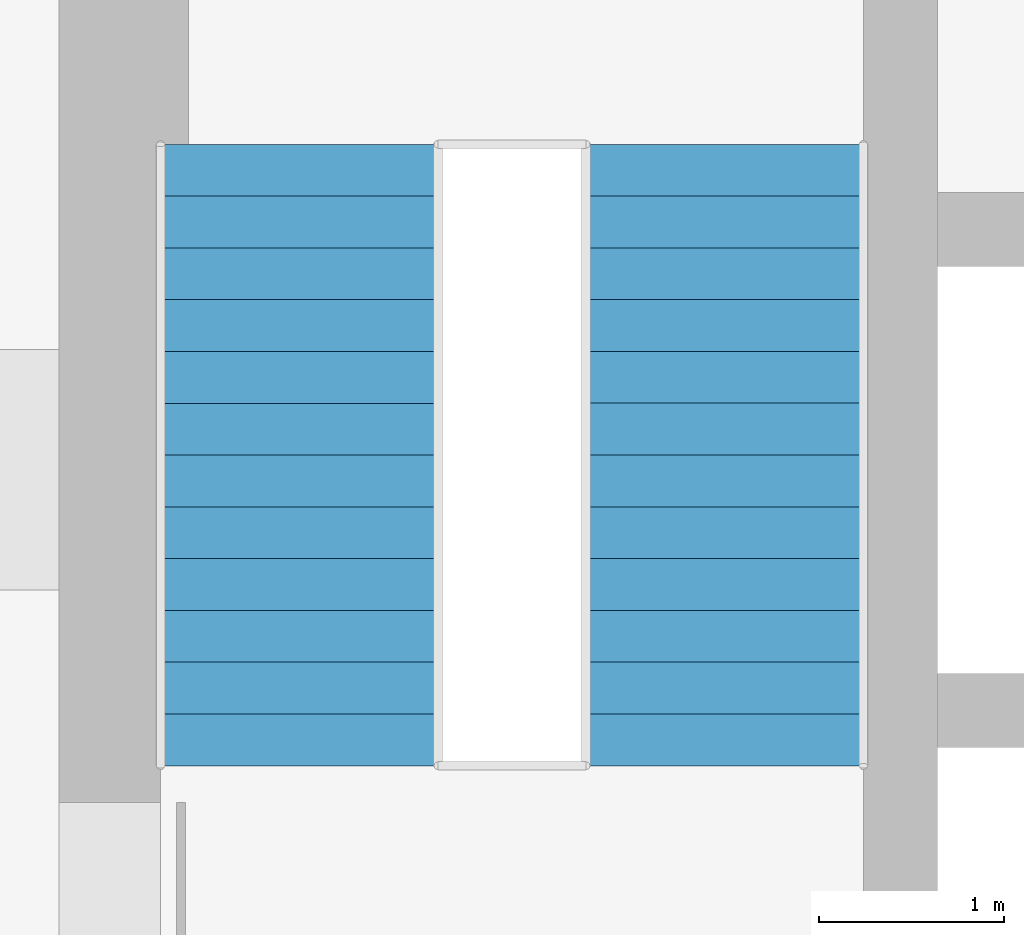
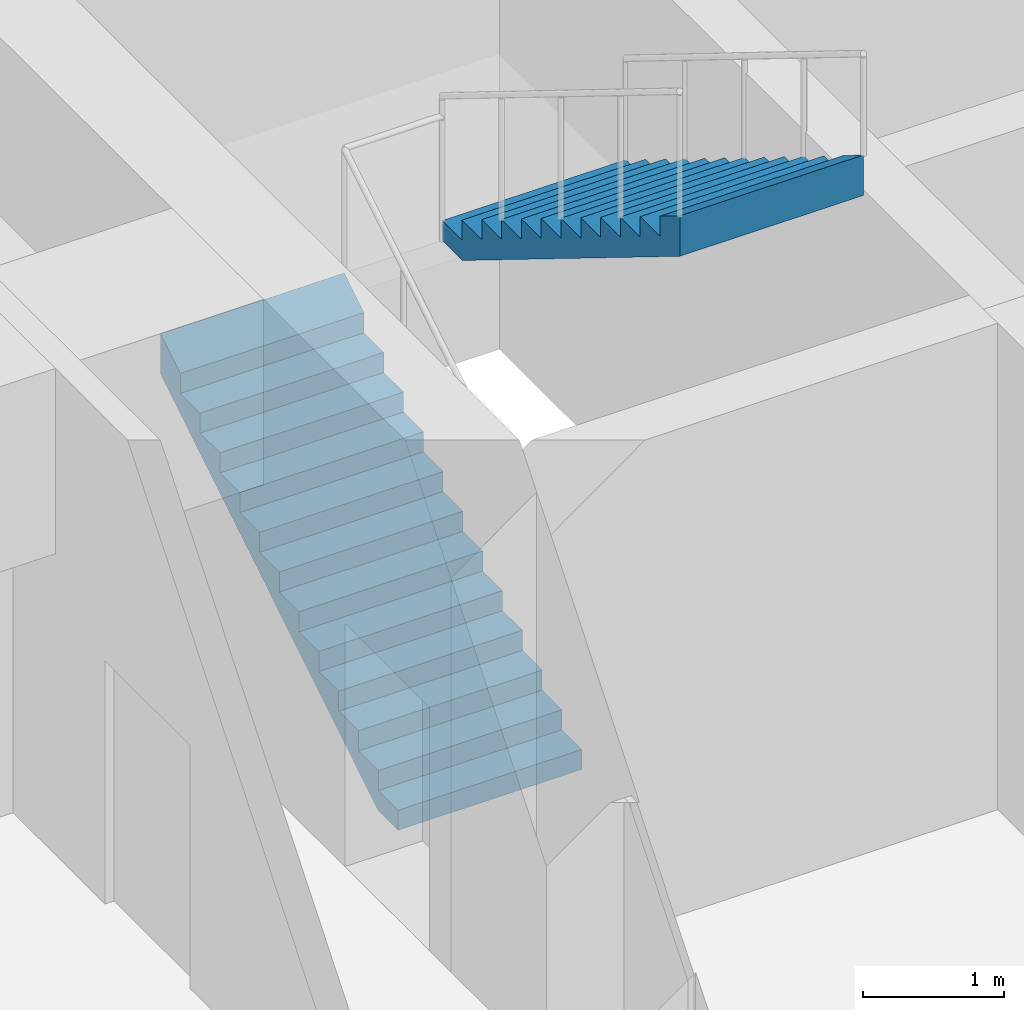
# One storey, part 7 of 9: 2 stair flights, 1 element without a shape of its own.
"""IFC4 building model written with IfcOpenShell, lengths in metres."""

from ifc_helpers import new_model, si_unit, direction, frame, origin, place, context, subcontext, project, spatial, triangles, material, type_object, element, aggregate, save


model = new_model("IFC4")

# Units and contexts
model_context = context("Model", 3, precision=1e-05, world=origin(), true_north=direction((0.0, 1.0)))
body_context = subcontext(model_context, "Body", "Model", "MODEL_VIEW")
ifc_project = project(units=[si_unit("LENGTHUNIT", "METRE"), si_unit("AREAUNIT", "SQUARE_METRE"), si_unit("VOLUMEUNIT", "CUBIC_METRE"), si_unit("PLANEANGLEUNIT", "RADIAN"), si_unit("MASSUNIT", "GRAM", prefix="KILO")], contexts=[model_context])

# Site, building, storey
site_placement = place(None, origin())
site = spatial("IfcSite", under=ifc_project, at=site_placement, CompositionType="ELEMENT")
building_placement = place(site_placement, origin())
building = spatial("IfcBuilding", under=site, at=building_placement, Name="Ludao Terraces", CompositionType="ELEMENT")
storey_placement = place(building_placement, frame((0.0, 0.0, 95.39990234375)))
storey = spatial("IfcBuildingStorey", under=building, at=storey_placement, Name="L26", CompositionType="ELEMENT", Elevation=95.39990234375)

# Stair, stair flights
ifc_material = material(Name="Concrete C40", Category="concrete")
stair_type = type_object("IfcStairType", Name="INT Stair", PredefinedType="HALF_TURN_STAIR", material=ifc_material)
stair_placement = place(storey_placement, origin())
stair = element("IfcStair", 1, at=stair_placement, inside=storey, type_object=stair_type, Name="EXIT STAIR 1", PredefinedType="HALF_TURN_STAIR")
stair_flight_type = type_object("IfcStairFlightType", Name="INT Stair flight", PredefinedType="STRAIGHT", material=ifc_material)
stair_flight_1_placement = place(storey_placement, frame((76.199951171875, 79.0, 0.0), z_axis=(0.0, 0.0, 1.0), x_axis=(0.0, 1.0, 0.0)))
stair_flight_1 = element("IfcStairFlight", 2, at=stair_flight_1_placement, type_object=stair_flight_type, Name="ST1 flight 1", NumberOfRisers=13, NumberOfTreads=12, PredefinedType="STRAIGHT", RiserHeight=0.173077, TreadLength=0.28, context=body_context, shape_type="Tessellation", body=[
    triangles([(0.0, -0.75, 0.0), (0.0, -0.5, 0.0), (0.0, -0.25, 0.0), (0.0, 0.0, 0.0), (0.0, 0.25, 0.0), (0.0, 0.5, 0.0), (0.0, 0.75, 0.0), (0.0, -0.75, 0.173095703125), (0.0, -0.5, 0.173095703125), (0.0, -0.25, 0.173095703125), (0.0, 0.0, 0.173095703125), (0.0, 0.25, 0.173095703125), (0.0, 0.5, 0.173095703125), (0.0, 0.75, 0.173095703125), (0.280029296875, -0.75, 0.173095703125), (0.280029296875, -0.5, 0.173095703125), (0.280029296875, -0.25, 0.173095703125), (0.280029296875, 0.0, 0.173095703125), (0.280029296875, 0.25, 0.173095703125), (0.280029296875, 0.5, 0.173095703125), (0.280029296875, 0.75, 0.173095703125), (0.280029296875, -0.75, 0.34619140625), (0.280029296875, -0.5, 0.34619140625), (0.280029296875, -0.25, 0.34619140625), (0.280029296875, 0.0, 0.34619140625), (0.280029296875, 0.25, 0.34619140625), (0.280029296875, 0.5, 0.34619140625), (0.280029296875, 0.75, 0.34619140625), (0.56005859375, -0.75, 0.34619140625), (0.56005859375, -0.5, 0.34619140625), (0.56005859375, -0.25, 0.34619140625), (0.56005859375, 0.0, 0.34619140625), (0.56005859375, 0.25, 0.34619140625), (0.56005859375, 0.5, 0.34619140625), (0.56005859375, 0.75, 0.34619140625), (0.56005859375, -0.75, 0.519287109375), (0.56005859375, -0.5, 0.519287109375), (0.56005859375, -0.25, 0.519287109375), (0.56005859375, 0.0, 0.519287109375), (0.56005859375, 0.25, 0.519287109375), (0.56005859375, 0.5, 0.519287109375), (0.56005859375, 0.75, 0.519287109375), (0.840087890625, -0.75, 0.519287109375), (0.840087890625, -0.5, 0.519287109375), (0.840087890625, -0.25, 0.519287109375), (0.840087890625, 0.0, 0.519287109375), (0.840087890625, 0.25, 0.519287109375), (0.840087890625, 0.5, 0.519287109375), (0.840087890625, 0.75, 0.519287109375), (0.840087890625, -0.75, 0.6923828125), (0.840087890625, -0.5, 0.6923828125), (0.840087890625, -0.25, 0.6923828125), (0.840087890625, 0.0, 0.6923828125), (0.840087890625, 0.25, 0.6923828125), (0.840087890625, 0.5, 0.6923828125), (0.840087890625, 0.75, 0.6923828125), (1.1201171875, -0.75, 0.6923828125), (1.1201171875, -0.5, 0.6923828125), (1.1201171875, -0.25, 0.6923828125), (1.1201171875, 0.0, 0.6923828125), (1.1201171875, 0.25, 0.6923828125), (1.1201171875, 0.5, 0.6923828125), (1.1201171875, 0.75, 0.6923828125), (1.1201171875, -0.75, 0.865478515625), (1.1201171875, -0.5, 0.865478515625), (1.1201171875, -0.25, 0.865478515625), (1.1201171875, 0.0, 0.865478515625), (1.1201171875, 0.25, 0.865478515625), (1.1201171875, 0.5, 0.865478515625), (1.1201171875, 0.75, 0.865478515625), (1.39990234375, -0.75, 0.865478515625), (1.39990234375, -0.5, 0.865478515625), (1.39990234375, -0.25, 0.865478515625), (1.39990234375, 0.0, 0.865478515625), (1.39990234375, 0.25, 0.865478515625), (1.39990234375, 0.5, 0.865478515625), (1.39990234375, 0.75, 0.865478515625), (1.39990234375, -0.75, 1.03857421875), (1.39990234375, -0.5, 1.03857421875), (1.39990234375, -0.25, 1.03857421875), (1.39990234375, 0.0, 1.03857421875), (1.39990234375, 0.25, 1.03857421875), (1.39990234375, 0.5, 1.03857421875), (1.39990234375, 0.75, 1.03857421875), (1.679931640625, -0.75, 1.03857421875), (1.679931640625, -0.5, 1.03857421875), (1.679931640625, -0.25, 1.03857421875), (1.679931640625, 0.0, 1.03857421875), (1.679931640625, 0.25, 1.03857421875), (1.679931640625, 0.5, 1.03857421875), (1.679931640625, 0.75, 1.03857421875), (1.679931640625, -0.75, 1.21142578125), (1.679931640625, -0.5, 1.21142578125), (1.679931640625, -0.25, 1.21142578125), (1.679931640625, 0.0, 1.21142578125), (1.679931640625, 0.25, 1.21142578125), (1.679931640625, 0.5, 1.21142578125), (1.679931640625, 0.75, 1.21142578125), (1.9599609375, -0.75, 1.21142578125), (1.9599609375, -0.5, 1.21142578125), (1.9599609375, -0.25, 1.21142578125), (1.9599609375, 0.0, 1.21142578125), (1.9599609375, 0.25, 1.21142578125), (1.9599609375, 0.5, 1.21142578125), (1.9599609375, 0.75, 1.21142578125), (1.9599609375, -0.75, 1.384521484375), (1.9599609375, -0.5, 1.384521484375), (1.9599609375, -0.25, 1.384521484375), (1.9599609375, 0.0, 1.384521484375), (1.9599609375, 0.25, 1.384521484375), (1.9599609375, 0.5, 1.384521484375), (1.9599609375, 0.75, 1.384521484375), (2.239990234375, -0.75, 1.384521484375), (2.239990234375, -0.5, 1.384521484375), (2.239990234375, -0.25, 1.384521484375), (2.239990234375, 0.0, 1.384521484375), (2.239990234375, 0.25, 1.384521484375), (2.239990234375, 0.5, 1.384521484375), (2.239990234375, 0.75, 1.384521484375), (2.239990234375, -0.75, 1.5576171875), (2.239990234375, -0.5, 1.5576171875), (2.239990234375, -0.25, 1.5576171875), (2.239990234375, 0.0, 1.5576171875), (2.239990234375, 0.25, 1.5576171875), (2.239990234375, 0.5, 1.5576171875), (2.239990234375, 0.75, 1.5576171875), (2.52001953125, -0.75, 1.5576171875), (2.52001953125, -0.5, 1.5576171875), (2.52001953125, -0.25, 1.5576171875), (2.52001953125, 0.0, 1.5576171875), (2.52001953125, 0.25, 1.5576171875), (2.52001953125, 0.5, 1.5576171875), (2.52001953125, 0.75, 1.5576171875), (2.52001953125, -0.75, 1.730712890625), (2.52001953125, -0.5, 1.730712890625), (2.52001953125, -0.25, 1.730712890625), (2.52001953125, 0.0, 1.730712890625), (2.52001953125, 0.25, 1.730712890625), (2.52001953125, 0.5, 1.730712890625), (2.52001953125, 0.75, 1.730712890625), (2.800048828125, -0.75, 1.730712890625), (2.800048828125, -0.5, 1.730712890625), (2.800048828125, -0.25, 1.730712890625), (2.800048828125, 0.0, 1.730712890625), (2.800048828125, 0.25, 1.730712890625), (2.800048828125, 0.5, 1.730712890625), (2.800048828125, 0.75, 1.730712890625), (2.800048828125, -0.75, 1.90380859375), (2.800048828125, -0.5, 1.90380859375), (2.800048828125, -0.25, 1.90380859375), (2.800048828125, 0.0, 1.90380859375), (2.800048828125, 0.25, 1.90380859375), (2.800048828125, 0.5, 1.90380859375), (2.800048828125, 0.75, 1.90380859375), (3.080078125, -0.75, 1.90380859375), (3.080078125, -0.5, 1.90380859375), (3.080078125, -0.25, 1.90380859375), (3.080078125, 0.0, 1.90380859375), (3.080078125, 0.25, 1.90380859375), (3.080078125, 0.5, 1.90380859375), (3.080078125, 0.75, 1.90380859375), (3.080078125, -0.75, 2.076904296875), (3.080078125, -0.5, 2.076904296875), (3.080078125, -0.25, 2.076904296875), (3.080078125, 0.0, 2.076904296875), (3.080078125, 0.25, 2.076904296875), (3.080078125, 0.5, 2.076904296875), (3.080078125, 0.75, 2.076904296875), (3.360107421875, -0.75, 2.25), (3.360107421875, -0.5, 2.25), (3.360107421875, -0.25, 2.25), (3.360107421875, 0.0, 2.25), (3.360107421875, 0.25, 2.25), (3.360107421875, 0.5, 2.25), (3.360107421875, 0.75, 2.25), (3.360107421875, -0.75, 1.900634765625), (3.360107421875, -0.5, 1.900634765625), (3.360107421875, -0.25, 1.900634765625), (3.360107421875, 0.0, 1.900634765625), (3.360107421875, 0.25, 1.900634765625), (3.360107421875, 0.5, 1.900634765625), (3.360107421875, 0.75, 1.900634765625), (0.28515625, -0.75, 0.0), (0.28515625, -0.5, 0.0), (0.28515625, -0.25, 0.0), (0.28515625, 0.0, 0.0), (0.28515625, 0.25, 0.0), (0.28515625, 0.5, 0.0), (0.28515625, 0.75, 0.0)], [[1, 183, 176], [7, 182, 189], [176, 169, 162], [182, 168, 175], [176, 162, 155], [182, 161, 168], [176, 155, 148], [182, 154, 161], [176, 148, 141], [182, 147, 154], [141, 134, 127], [147, 133, 140], [176, 141, 127], [182, 133, 147], [127, 120, 113], [133, 119, 126], [176, 127, 113], [182, 119, 133], [113, 106, 99], [119, 105, 112], [176, 113, 99], [182, 105, 119], [1, 176, 99], [7, 105, 182], [99, 92, 85], [105, 91, 98], [85, 78, 71], [91, 77, 84], [99, 85, 71], [105, 77, 91], [71, 64, 57], [77, 63, 70], [99, 71, 57], [105, 63, 77], [57, 50, 43], [63, 49, 56], [99, 57, 43], [105, 49, 63], [43, 36, 29], [49, 35, 42], [99, 43, 29], [105, 35, 49], [29, 22, 15], [35, 21, 28], [99, 29, 15], [105, 21, 35], [1, 99, 15], [7, 21, 105], [15, 8, 1], [21, 7, 14], [1, 9, 2], [1, 8, 9], [2, 10, 3], [2, 9, 10], [3, 11, 4], [3, 10, 11], [4, 12, 5], [4, 11, 12], [5, 13, 6], [5, 12, 13], [6, 14, 7], [6, 13, 14], [8, 16, 9], [8, 15, 16], [9, 17, 10], [9, 16, 17], [10, 18, 11], [10, 17, 18], [11, 19, 12], [11, 18, 19], [12, 20, 13], [12, 19, 20], [13, 21, 14], [13, 20, 21], [15, 23, 16], [15, 22, 23], [16, 24, 17], [16, 23, 24], [17, 25, 18], [17, 24, 25], [18, 26, 19], [18, 25, 26], [19, 27, 20], [19, 26, 27], [20, 28, 21], [20, 27, 28], [22, 30, 23], [22, 29, 30], [23, 31, 24], [23, 30, 31], [24, 32, 25], [24, 31, 32], [25, 33, 26], [25, 32, 33], [26, 34, 27], [26, 33, 34], [27, 35, 28], [27, 34, 35], [29, 37, 30], [29, 36, 37], [30, 38, 31], [30, 37, 38], [31, 39, 32], [31, 38, 39], [32, 40, 33], [32, 39, 40], [33, 41, 34], [33, 40, 41], [34, 42, 35], [34, 41, 42], [36, 44, 37], [36, 43, 44], [37, 45, 38], [37, 44, 45], [38, 46, 39], [38, 45, 46], [39, 47, 40], [39, 46, 47], [40, 48, 41], [40, 47, 48], [41, 49, 42], [41, 48, 49], [43, 51, 44], [43, 50, 51], [44, 52, 45], [44, 51, 52], [45, 53, 46], [45, 52, 53], [46, 54, 47], [46, 53, 54], [47, 55, 48], [47, 54, 55], [48, 56, 49], [48, 55, 56], [50, 58, 51], [50, 57, 58], [51, 59, 52], [51, 58, 59], [52, 60, 53], [52, 59, 60], [53, 61, 54], [53, 60, 61], [54, 62, 55], [54, 61, 62], [55, 63, 56], [55, 62, 63], [57, 65, 58], [57, 64, 65], [58, 66, 59], [58, 65, 66], [59, 67, 60], [59, 66, 67], [60, 68, 61], [60, 67, 68], [61, 69, 62], [61, 68, 69], [62, 70, 63], [62, 69, 70], [64, 72, 65], [64, 71, 72], [65, 73, 66], [65, 72, 73], [66, 74, 67], [66, 73, 74], [67, 75, 68], [67, 74, 75], [68, 76, 69], [68, 75, 76], [69, 77, 70], [69, 76, 77], [71, 79, 72], [71, 78, 79], [72, 80, 73], [72, 79, 80], [73, 81, 74], [73, 80, 81], [74, 82, 75], [74, 81, 82], [75, 83, 76], [75, 82, 83], [76, 84, 77], [76, 83, 84], [78, 86, 79], [78, 85, 86], [79, 87, 80], [79, 86, 87], [80, 88, 81], [80, 87, 88], [81, 89, 82], [81, 88, 89], [82, 90, 83], [82, 89, 90], [83, 91, 84], [83, 90, 91], [85, 93, 86], [85, 92, 93], [86, 94, 87], [86, 93, 94], [87, 95, 88], [87, 94, 95], [88, 96, 89], [88, 95, 96], [89, 97, 90], [89, 96, 97], [90, 98, 91], [90, 97, 98], [92, 100, 93], [92, 99, 100], [93, 101, 94], [93, 100, 101], [94, 102, 95], [94, 101, 102], [95, 103, 96], [95, 102, 103], [96, 104, 97], [96, 103, 104], [97, 105, 98], [97, 104, 105], [99, 107, 100], [99, 106, 107], [100, 108, 101], [100, 107, 108], [101, 109, 102], [101, 108, 109], [102, 110, 103], [102, 109, 110], [103, 111, 104], [103, 110, 111], [104, 112, 105], [104, 111, 112], [106, 114, 107], [106, 113, 114], [107, 115, 108], [107, 114, 115], [108, 116, 109], [108, 115, 116], [109, 117, 110], [109, 116, 117], [110, 118, 111], [110, 117, 118], [111, 119, 112], [111, 118, 119], [113, 121, 114], [113, 120, 121], [114, 122, 115], [114, 121, 122], [115, 123, 116], [115, 122, 123], [116, 124, 117], [116, 123, 124], [117, 125, 118], [117, 124, 125], [118, 126, 119], [118, 125, 126], [120, 128, 121], [120, 127, 128], [121, 129, 122], [121, 128, 129], [122, 130, 123], [122, 129, 130], [123, 131, 124], [123, 130, 131], [124, 132, 125], [124, 131, 132], [125, 133, 126], [125, 132, 133], [127, 135, 128], [127, 134, 135], [128, 136, 129], [128, 135, 136], [129, 137, 130], [129, 136, 137], [130, 138, 131], [130, 137, 138], [131, 139, 132], [131, 138, 139], [132, 140, 133], [132, 139, 140], [134, 142, 135], [134, 141, 142], [135, 143, 136], [135, 142, 143], [136, 144, 137], [136, 143, 144], [137, 145, 138], [137, 144, 145], [138, 146, 139], [138, 145, 146], [139, 147, 140], [139, 146, 147], [141, 149, 142], [141, 148, 149], [142, 150, 143], [142, 149, 150], [143, 151, 144], [143, 150, 151], [144, 152, 145], [144, 151, 152], [145, 153, 146], [145, 152, 153], [146, 154, 147], [146, 153, 154], [148, 156, 149], [148, 155, 156], [149, 157, 150], [149, 156, 157], [150, 158, 151], [150, 157, 158], [151, 159, 152], [151, 158, 159], [152, 160, 153], [152, 159, 160], [153, 161, 154], [153, 160, 161], [155, 163, 156], [155, 162, 163], [156, 164, 157], [156, 163, 164], [157, 165, 158], [157, 164, 165], [158, 166, 159], [158, 165, 166], [159, 167, 160], [159, 166, 167], [160, 168, 161], [160, 167, 168], [162, 170, 163], [162, 169, 170], [163, 171, 164], [163, 170, 171], [164, 172, 165], [164, 171, 172], [165, 173, 166], [165, 172, 173], [166, 174, 167], [166, 173, 174], [167, 175, 168], [167, 174, 175], [169, 177, 170], [169, 176, 177], [170, 178, 171], [170, 177, 178], [171, 179, 172], [171, 178, 179], [172, 180, 173], [172, 179, 180], [173, 181, 174], [173, 180, 181], [174, 182, 175], [174, 181, 182], [176, 184, 177], [176, 183, 184], [177, 185, 178], [177, 184, 185], [178, 186, 179], [178, 185, 186], [179, 187, 180], [179, 186, 187], [180, 188, 181], [180, 187, 188], [181, 189, 182], [181, 188, 189], [183, 2, 184], [183, 1, 2], [184, 3, 185], [184, 2, 3], [185, 4, 186], [185, 3, 4], [186, 5, 187], [186, 4, 5], [187, 6, 188], [187, 5, 6], [188, 7, 189], [188, 6, 7]], closed=True),
])
stair_flight_2_placement = place(storey_placement, frame((78.5, 82.360107421875, 2.25), z_axis=(0.0, 0.0, 1.0), x_axis=(0.0, -1.0, 0.0)))
stair_flight_2 = element("IfcStairFlight", 3, at=stair_flight_2_placement, type_object=stair_flight_type, Name="ST1 flight 2", NumberOfRisers=13, NumberOfTreads=12, PredefinedType="STRAIGHT", RiserHeight=0.173077, TreadLength=0.28, context=body_context, shape_type="Tessellation", body=[
    triangles([(0.0, -0.75, 0.0), (0.0, -0.5, 0.0), (0.0, -0.25, 0.0), (0.0, 0.0, 0.0), (0.0, 0.25, 0.0), (0.0, 0.5, 0.0), (0.0, 0.75, 0.0), (0.0, -0.75, 0.173095703125), (0.0, -0.5, 0.173095703125), (0.0, -0.25, 0.173095703125), (0.0, 0.0, 0.173095703125), (0.0, 0.25, 0.173095703125), (0.0, 0.5, 0.173095703125), (0.0, 0.75, 0.173095703125), (0.280029296875, -0.75, 0.173095703125), (0.280029296875, -0.5, 0.173095703125), (0.280029296875, -0.25, 0.173095703125), (0.280029296875, 0.0, 0.173095703125), (0.280029296875, 0.25, 0.173095703125), (0.280029296875, 0.5, 0.173095703125), (0.280029296875, 0.75, 0.173095703125), (0.280029296875, -0.75, 0.34619140625), (0.280029296875, -0.5, 0.34619140625), (0.280029296875, -0.25, 0.34619140625), (0.280029296875, 0.0, 0.34619140625), (0.280029296875, 0.25, 0.34619140625), (0.280029296875, 0.5, 0.34619140625), (0.280029296875, 0.75, 0.34619140625), (0.56005859375, -0.75, 0.34619140625), (0.56005859375, -0.5, 0.34619140625), (0.56005859375, -0.25, 0.34619140625), (0.56005859375, 0.0, 0.34619140625), (0.56005859375, 0.25, 0.34619140625), (0.56005859375, 0.5, 0.34619140625), (0.56005859375, 0.75, 0.34619140625), (0.56005859375, -0.75, 0.519287109375), (0.56005859375, -0.5, 0.519287109375), (0.56005859375, -0.25, 0.519287109375), (0.56005859375, 0.0, 0.519287109375), (0.56005859375, 0.25, 0.519287109375), (0.56005859375, 0.5, 0.519287109375), (0.56005859375, 0.75, 0.519287109375), (0.840087890625, -0.75, 0.519287109375), (0.840087890625, -0.5, 0.519287109375), (0.840087890625, -0.25, 0.519287109375), (0.840087890625, 0.0, 0.519287109375), (0.840087890625, 0.25, 0.519287109375), (0.840087890625, 0.5, 0.519287109375), (0.840087890625, 0.75, 0.519287109375), (0.840087890625, -0.75, 0.6923828125), (0.840087890625, -0.5, 0.6923828125), (0.840087890625, -0.25, 0.6923828125), (0.840087890625, 0.0, 0.6923828125), (0.840087890625, 0.25, 0.6923828125), (0.840087890625, 0.5, 0.6923828125), (0.840087890625, 0.75, 0.6923828125), (1.1201171875, -0.75, 0.6923828125), (1.1201171875, -0.5, 0.6923828125), (1.1201171875, -0.25, 0.6923828125), (1.1201171875, 0.0, 0.6923828125), (1.1201171875, 0.25, 0.6923828125), (1.1201171875, 0.5, 0.6923828125), (1.1201171875, 0.75, 0.6923828125), (1.1201171875, -0.75, 0.865478515625), (1.1201171875, -0.5, 0.865478515625), (1.1201171875, -0.25, 0.865478515625), (1.1201171875, 0.0, 0.865478515625), (1.1201171875, 0.25, 0.865478515625), (1.1201171875, 0.5, 0.865478515625), (1.1201171875, 0.75, 0.865478515625), (1.39990234375, -0.75, 0.865478515625), (1.39990234375, -0.5, 0.865478515625), (1.39990234375, -0.25, 0.865478515625), (1.39990234375, 0.0, 0.865478515625), (1.39990234375, 0.25, 0.865478515625), (1.39990234375, 0.5, 0.865478515625), (1.39990234375, 0.75, 0.865478515625), (1.39990234375, -0.75, 1.03857421875), (1.39990234375, -0.5, 1.03857421875), (1.39990234375, -0.25, 1.03857421875), (1.39990234375, 0.0, 1.03857421875), (1.39990234375, 0.25, 1.03857421875), (1.39990234375, 0.5, 1.03857421875), (1.39990234375, 0.75, 1.03857421875), (1.679931640625, -0.75, 1.03857421875), (1.679931640625, -0.5, 1.03857421875), (1.679931640625, -0.25, 1.03857421875), (1.679931640625, 0.0, 1.03857421875), (1.679931640625, 0.25, 1.03857421875), (1.679931640625, 0.5, 1.03857421875), (1.679931640625, 0.75, 1.03857421875), (1.679931640625, -0.75, 1.21142578125), (1.679931640625, -0.5, 1.21142578125), (1.679931640625, -0.25, 1.21142578125), (1.679931640625, 0.0, 1.21142578125), (1.679931640625, 0.25, 1.21142578125), (1.679931640625, 0.5, 1.21142578125), (1.679931640625, 0.75, 1.21142578125), (1.9599609375, -0.75, 1.21142578125), (1.9599609375, -0.5, 1.21142578125), (1.9599609375, -0.25, 1.21142578125), (1.9599609375, 0.0, 1.21142578125), (1.9599609375, 0.25, 1.21142578125), (1.9599609375, 0.5, 1.21142578125), (1.9599609375, 0.75, 1.21142578125), (1.9599609375, -0.75, 1.384521484375), (1.9599609375, -0.5, 1.384521484375), (1.9599609375, -0.25, 1.384521484375), (1.9599609375, 0.0, 1.384521484375), (1.9599609375, 0.25, 1.384521484375), (1.9599609375, 0.5, 1.384521484375), (1.9599609375, 0.75, 1.384521484375), (2.239990234375, -0.75, 1.384521484375), (2.239990234375, -0.5, 1.384521484375), (2.239990234375, -0.25, 1.384521484375), (2.239990234375, 0.0, 1.384521484375), (2.239990234375, 0.25, 1.384521484375), (2.239990234375, 0.5, 1.384521484375), (2.239990234375, 0.75, 1.384521484375), (2.239990234375, -0.75, 1.5576171875), (2.239990234375, -0.5, 1.5576171875), (2.239990234375, -0.25, 1.5576171875), (2.239990234375, 0.0, 1.5576171875), (2.239990234375, 0.25, 1.5576171875), (2.239990234375, 0.5, 1.5576171875), (2.239990234375, 0.75, 1.5576171875), (2.52001953125, -0.75, 1.5576171875), (2.52001953125, -0.5, 1.5576171875), (2.52001953125, -0.25, 1.5576171875), (2.52001953125, 0.0, 1.5576171875), (2.52001953125, 0.25, 1.5576171875), (2.52001953125, 0.5, 1.5576171875), (2.52001953125, 0.75, 1.5576171875), (2.52001953125, -0.75, 1.730712890625), (2.52001953125, -0.5, 1.730712890625), (2.52001953125, -0.25, 1.730712890625), (2.52001953125, 0.0, 1.730712890625), (2.52001953125, 0.25, 1.730712890625), (2.52001953125, 0.5, 1.730712890625), (2.52001953125, 0.75, 1.730712890625), (2.800048828125, -0.75, 1.730712890625), (2.800048828125, -0.5, 1.730712890625), (2.800048828125, -0.25, 1.730712890625), (2.800048828125, 0.0, 1.730712890625), (2.800048828125, 0.25, 1.730712890625), (2.800048828125, 0.5, 1.730712890625), (2.800048828125, 0.75, 1.730712890625), (2.800048828125, -0.75, 1.90380859375), (2.800048828125, -0.5, 1.90380859375), (2.800048828125, -0.25, 1.90380859375), (2.800048828125, 0.0, 1.90380859375), (2.800048828125, 0.25, 1.90380859375), (2.800048828125, 0.5, 1.90380859375), (2.800048828125, 0.75, 1.90380859375), (3.080078125, -0.75, 1.90380859375), (3.080078125, -0.5, 1.90380859375), (3.080078125, -0.25, 1.90380859375), (3.080078125, 0.0, 1.90380859375), (3.080078125, 0.25, 1.90380859375), (3.080078125, 0.5, 1.90380859375), (3.080078125, 0.75, 1.90380859375), (3.080078125, -0.75, 2.076904296875), (3.080078125, -0.5, 2.076904296875), (3.080078125, -0.25, 2.076904296875), (3.080078125, 0.0, 2.076904296875), (3.080078125, 0.25, 2.076904296875), (3.080078125, 0.5, 2.076904296875), (3.080078125, 0.75, 2.076904296875), (3.360107421875, -0.75, 2.25), (3.360107421875, -0.5, 2.25), (3.360107421875, -0.25, 2.25), (3.360107421875, 0.0, 2.25), (3.360107421875, 0.25, 2.25), (3.360107421875, 0.5, 2.25), (3.360107421875, 0.75, 2.25), (3.360107421875, -0.75, 1.900634765625), (3.360107421875, -0.5, 1.900634765625), (3.360107421875, -0.25, 1.900634765625), (3.360107421875, 0.0, 1.900634765625), (3.360107421875, 0.25, 1.900634765625), (3.360107421875, 0.5, 1.900634765625), (3.360107421875, 0.75, 1.900634765625), (0.28515625, -0.75, 0.0), (0.28515625, -0.5, 0.0), (0.28515625, -0.25, 0.0), (0.28515625, 0.0, 0.0), (0.28515625, 0.25, 0.0), (0.28515625, 0.5, 0.0), (0.28515625, 0.75, 0.0)], [[1, 183, 176], [7, 182, 189], [176, 169, 162], [182, 168, 175], [176, 162, 155], [182, 161, 168], [176, 155, 148], [182, 154, 161], [176, 148, 141], [182, 147, 154], [141, 134, 127], [147, 133, 140], [176, 141, 127], [182, 133, 147], [127, 120, 113], [133, 119, 126], [176, 127, 113], [182, 119, 133], [113, 106, 99], [119, 105, 112], [176, 113, 99], [182, 105, 119], [1, 176, 99], [7, 105, 182], [99, 92, 85], [105, 91, 98], [85, 78, 71], [91, 77, 84], [99, 85, 71], [105, 77, 91], [71, 64, 57], [77, 63, 70], [99, 71, 57], [105, 63, 77], [57, 50, 43], [63, 49, 56], [99, 57, 43], [105, 49, 63], [43, 36, 29], [49, 35, 42], [99, 43, 29], [105, 35, 49], [29, 22, 15], [35, 21, 28], [99, 29, 15], [105, 21, 35], [1, 99, 15], [7, 21, 105], [15, 8, 1], [21, 7, 14], [1, 9, 2], [1, 8, 9], [2, 10, 3], [2, 9, 10], [3, 11, 4], [3, 10, 11], [4, 12, 5], [4, 11, 12], [5, 13, 6], [5, 12, 13], [6, 14, 7], [6, 13, 14], [8, 16, 9], [8, 15, 16], [9, 17, 10], [9, 16, 17], [10, 18, 11], [10, 17, 18], [11, 19, 12], [11, 18, 19], [12, 20, 13], [12, 19, 20], [13, 21, 14], [13, 20, 21], [15, 23, 16], [15, 22, 23], [16, 24, 17], [16, 23, 24], [17, 25, 18], [17, 24, 25], [18, 26, 19], [18, 25, 26], [19, 27, 20], [19, 26, 27], [20, 28, 21], [20, 27, 28], [22, 30, 23], [22, 29, 30], [23, 31, 24], [23, 30, 31], [24, 32, 25], [24, 31, 32], [25, 33, 26], [25, 32, 33], [26, 34, 27], [26, 33, 34], [27, 35, 28], [27, 34, 35], [29, 37, 30], [29, 36, 37], [30, 38, 31], [30, 37, 38], [31, 39, 32], [31, 38, 39], [32, 40, 33], [32, 39, 40], [33, 41, 34], [33, 40, 41], [34, 42, 35], [34, 41, 42], [36, 44, 37], [36, 43, 44], [37, 45, 38], [37, 44, 45], [38, 46, 39], [38, 45, 46], [39, 47, 40], [39, 46, 47], [40, 48, 41], [40, 47, 48], [41, 49, 42], [41, 48, 49], [43, 51, 44], [43, 50, 51], [44, 52, 45], [44, 51, 52], [45, 53, 46], [45, 52, 53], [46, 54, 47], [46, 53, 54], [47, 55, 48], [47, 54, 55], [48, 56, 49], [48, 55, 56], [50, 58, 51], [50, 57, 58], [51, 59, 52], [51, 58, 59], [52, 60, 53], [52, 59, 60], [53, 61, 54], [53, 60, 61], [54, 62, 55], [54, 61, 62], [55, 63, 56], [55, 62, 63], [57, 65, 58], [57, 64, 65], [58, 66, 59], [58, 65, 66], [59, 67, 60], [59, 66, 67], [60, 68, 61], [60, 67, 68], [61, 69, 62], [61, 68, 69], [62, 70, 63], [62, 69, 70], [64, 72, 65], [64, 71, 72], [65, 73, 66], [65, 72, 73], [66, 74, 67], [66, 73, 74], [67, 75, 68], [67, 74, 75], [68, 76, 69], [68, 75, 76], [69, 77, 70], [69, 76, 77], [71, 79, 72], [71, 78, 79], [72, 80, 73], [72, 79, 80], [73, 81, 74], [73, 80, 81], [74, 82, 75], [74, 81, 82], [75, 83, 76], [75, 82, 83], [76, 84, 77], [76, 83, 84], [78, 86, 79], [78, 85, 86], [79, 87, 80], [79, 86, 87], [80, 88, 81], [80, 87, 88], [81, 89, 82], [81, 88, 89], [82, 90, 83], [82, 89, 90], [83, 91, 84], [83, 90, 91], [85, 93, 86], [85, 92, 93], [86, 94, 87], [86, 93, 94], [87, 95, 88], [87, 94, 95], [88, 96, 89], [88, 95, 96], [89, 97, 90], [89, 96, 97], [90, 98, 91], [90, 97, 98], [92, 100, 93], [92, 99, 100], [93, 101, 94], [93, 100, 101], [94, 102, 95], [94, 101, 102], [95, 103, 96], [95, 102, 103], [96, 104, 97], [96, 103, 104], [97, 105, 98], [97, 104, 105], [99, 107, 100], [99, 106, 107], [100, 108, 101], [100, 107, 108], [101, 109, 102], [101, 108, 109], [102, 110, 103], [102, 109, 110], [103, 111, 104], [103, 110, 111], [104, 112, 105], [104, 111, 112], [106, 114, 107], [106, 113, 114], [107, 115, 108], [107, 114, 115], [108, 116, 109], [108, 115, 116], [109, 117, 110], [109, 116, 117], [110, 118, 111], [110, 117, 118], [111, 119, 112], [111, 118, 119], [113, 121, 114], [113, 120, 121], [114, 122, 115], [114, 121, 122], [115, 123, 116], [115, 122, 123], [116, 124, 117], [116, 123, 124], [117, 125, 118], [117, 124, 125], [118, 126, 119], [118, 125, 126], [120, 128, 121], [120, 127, 128], [121, 129, 122], [121, 128, 129], [122, 130, 123], [122, 129, 130], [123, 131, 124], [123, 130, 131], [124, 132, 125], [124, 131, 132], [125, 133, 126], [125, 132, 133], [127, 135, 128], [127, 134, 135], [128, 136, 129], [128, 135, 136], [129, 137, 130], [129, 136, 137], [130, 138, 131], [130, 137, 138], [131, 139, 132], [131, 138, 139], [132, 140, 133], [132, 139, 140], [134, 142, 135], [134, 141, 142], [135, 143, 136], [135, 142, 143], [136, 144, 137], [136, 143, 144], [137, 145, 138], [137, 144, 145], [138, 146, 139], [138, 145, 146], [139, 147, 140], [139, 146, 147], [141, 149, 142], [141, 148, 149], [142, 150, 143], [142, 149, 150], [143, 151, 144], [143, 150, 151], [144, 152, 145], [144, 151, 152], [145, 153, 146], [145, 152, 153], [146, 154, 147], [146, 153, 154], [148, 156, 149], [148, 155, 156], [149, 157, 150], [149, 156, 157], [150, 158, 151], [150, 157, 158], [151, 159, 152], [151, 158, 159], [152, 160, 153], [152, 159, 160], [153, 161, 154], [153, 160, 161], [155, 163, 156], [155, 162, 163], [156, 164, 157], [156, 163, 164], [157, 165, 158], [157, 164, 165], [158, 166, 159], [158, 165, 166], [159, 167, 160], [159, 166, 167], [160, 168, 161], [160, 167, 168], [162, 170, 163], [162, 169, 170], [163, 171, 164], [163, 170, 171], [164, 172, 165], [164, 171, 172], [165, 173, 166], [165, 172, 173], [166, 174, 167], [166, 173, 174], [167, 175, 168], [167, 174, 175], [169, 177, 170], [169, 176, 177], [170, 178, 171], [170, 177, 178], [171, 179, 172], [171, 178, 179], [172, 180, 173], [172, 179, 180], [173, 181, 174], [173, 180, 181], [174, 182, 175], [174, 181, 182], [176, 184, 177], [176, 183, 184], [177, 185, 178], [177, 184, 185], [178, 186, 179], [178, 185, 186], [179, 187, 180], [179, 186, 187], [180, 188, 181], [180, 187, 188], [181, 189, 182], [181, 188, 189], [183, 2, 184], [183, 1, 2], [184, 3, 185], [184, 2, 3], [185, 4, 186], [185, 3, 4], [186, 5, 187], [186, 4, 5], [187, 6, 188], [187, 5, 6], [188, 7, 189], [188, 6, 7]], closed=True),
])
aggregate(stair, [stair_flight_1, stair_flight_2])

save(model, "model.ifc")
